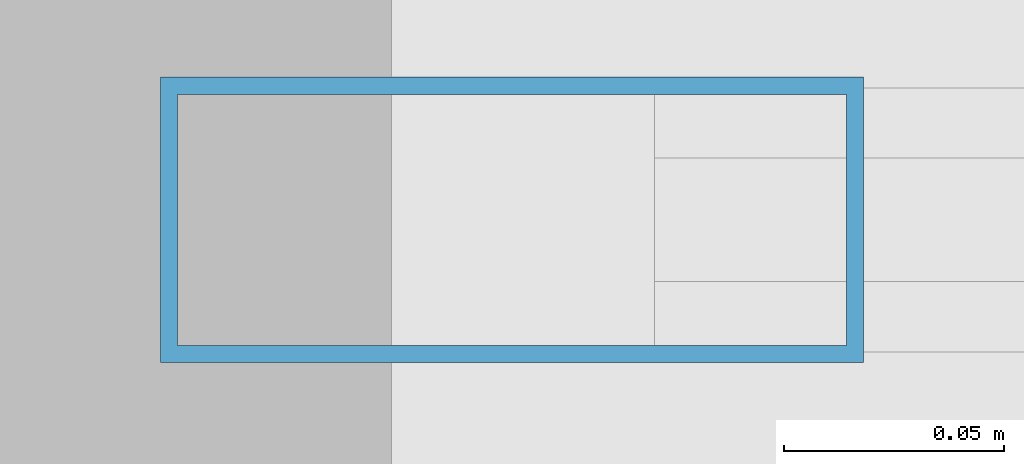
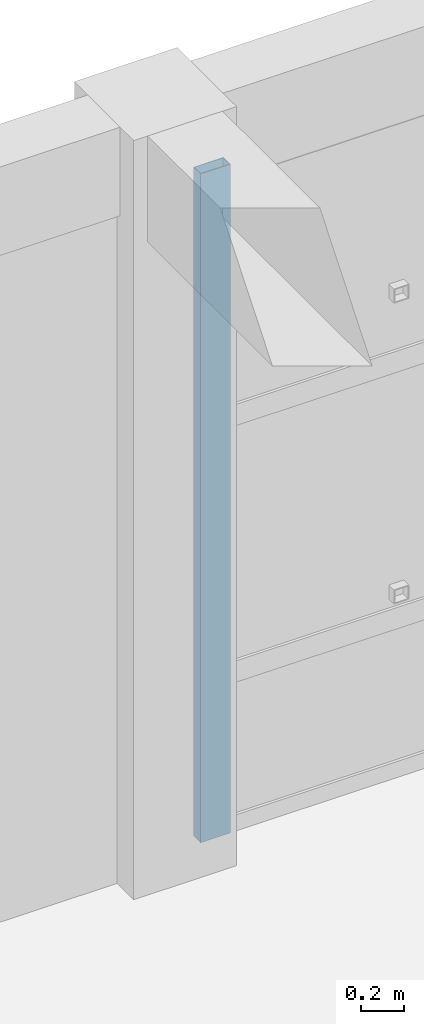
# One storey, part 11 of 39: 1 member, 1 element without a shape of its own.
"""IFC4 building model written with IfcOpenShell, lengths in metres."""

from ifc_helpers import new_model, si_unit, direction, frame, origin, origin_2d, place, context, subcontext, project, spatial, hollow_rectangle, extrude, material, layer, layer_set, material_profile, profile_set, type_object, element, aggregate, save


model = new_model("IFC4")

# Units and contexts
model_context = context("Model", 3, precision=1e-05, world=origin(), true_north=direction((0.0, 1.0)))
body_context = subcontext(model_context, "Body", "Model", "MODEL_VIEW")
ifc_project = project(units=[si_unit("LENGTHUNIT", "METRE"), si_unit("AREAUNIT", "SQUARE_METRE"), si_unit("VOLUMEUNIT", "CUBIC_METRE"), si_unit("PLANEANGLEUNIT", "RADIAN"), si_unit("MASSUNIT", "GRAM", prefix="KILO")], contexts=[model_context])

# Site, building, storey
site_placement = place(None, origin())
site = spatial("IfcSite", under=ifc_project, at=site_placement, CompositionType="ELEMENT")
building_placement = place(site_placement, origin())
building = spatial("IfcBuilding", under=site, at=building_placement, Name="Kharisveld Research Institute", CompositionType="ELEMENT")
storey_placement = place(building_placement, frame((0.0, 0.0, 23.10009765625)))
storey = spatial("IfcBuildingStorey", under=building, at=storey_placement, Name="L05", CompositionType="ELEMENT", Elevation=23.10009765625)

# Curtain wall, member
ifc_material_1 = material(Name="Thermally Broken Aluminium Curtain Wall", Category="aluminium")
ifc_layer = layer(ifc_material_1, 0.159912109375)
ifc_layer_set = layer_set([ifc_layer], Name="CW_SYS_03")
curtain_wall_type = type_object("IfcCurtainWallType", Name="CW_SYS_03", PredefinedType="NOTDEFINED", material=ifc_layer_set)
curtain_wall_placement = place(storey_placement, origin())
curtain_wall = element("IfcCurtainWall", 1, at=curtain_wall_placement, inside=storey, type_object=curtain_wall_type, Name="CW:V2:L05:N2", PredefinedType="NOTDEFINED")
ifc_material_2 = material(Name="Anodised Aluminium AW-6063-T6", Category="aluminium")
ifc_material_profile = material_profile(ifc_material_2, hollow_rectangle(XDim=0.06494140625, YDim=0.159912109375, WallThickness=0.00390625, at=origin_2d()))
ifc_profile_set = profile_set([ifc_material_profile], Name="Anodised Aluminium AW-6063-T6")
member_type = type_object("IfcMemberType", Name="CW_MUL_160", PredefinedType="MULLION", material=ifc_profile_set)
member_placement = place(storey_placement, frame((128.1025390625, 60.800048828125, 0.0), z_axis=(0.0, 0.0, 1.0), x_axis=(0.0, 1.0, 0.0)))
member = element("IfcMember", 2, at=member_placement, type_object=member_type, Name="CW-03 mullion 1", PredefinedType="MULLION", context=body_context, shape_type="SweptSolid", body=[
    extrude(hollow_rectangle(XDim=0.06494140625, YDim=0.159912109375, WallThickness=0.00390625, at=origin_2d()), origin(), (0.0, 0.0, 1.0), 3.77978515625),
])
aggregate(curtain_wall, [member])

save(model, "model.ifc")
